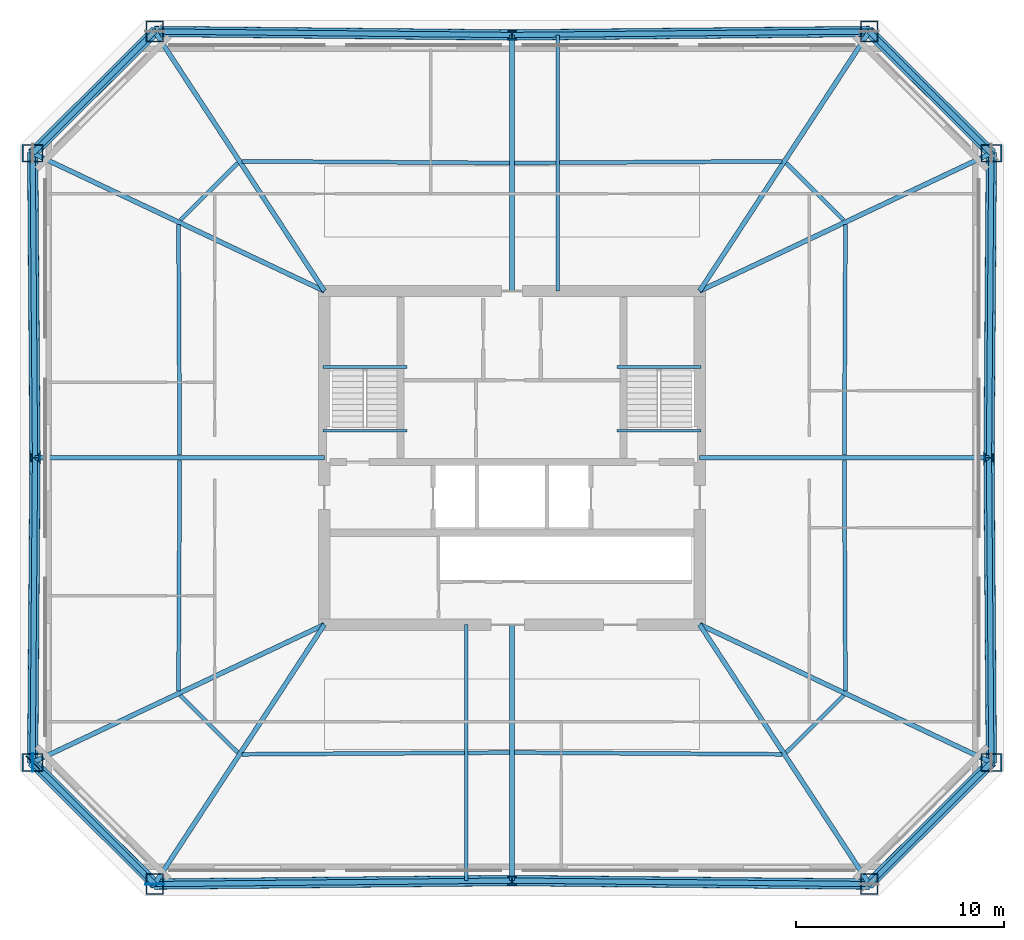
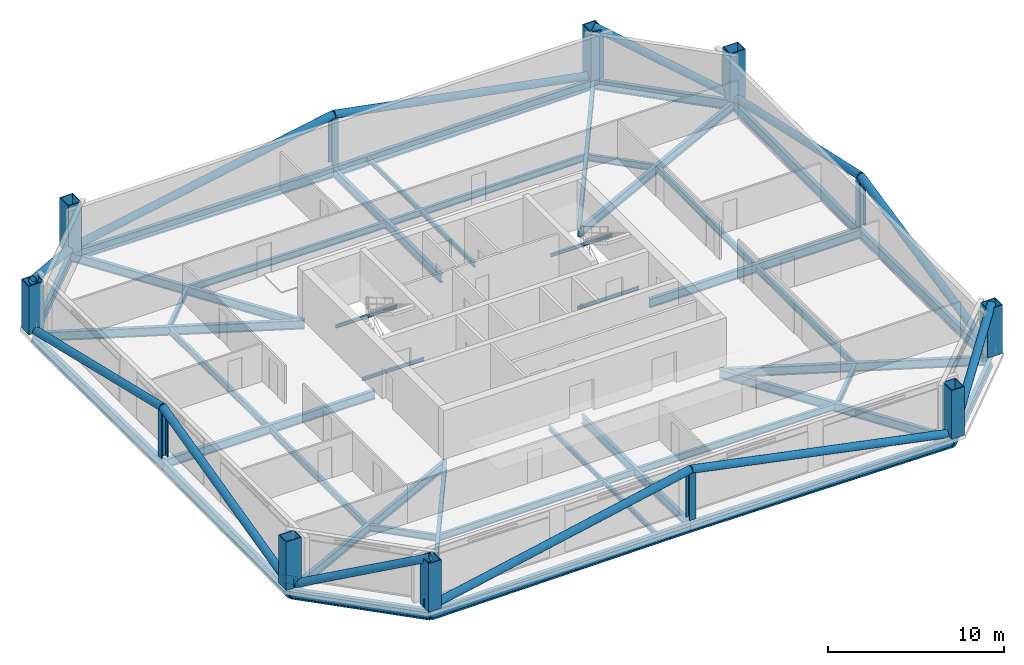
# One storey, part 1 of 6: 42 beams, 12 columns, 12 members, 3 plates.
"""IFC4 building model written with IfcOpenShell, lengths in metres."""

from ifc_helpers import new_model, si_unit, direction, frame, origin, origin_2d, place, context, subcontext, project, spatial, rectangle, hollow_rectangle, hollow_circle, i_section, extrude, material, layer, layer_set, material_profile, profile_set, type_object, element, save


model = new_model("IFC4")

# Units and contexts
model_context = context("Model", 3, precision=1e-05, world=origin(), true_north=direction((0.0, 1.0)))
body_context = subcontext(model_context, "Body", "Model", "MODEL_VIEW")
ifc_project = project(units=[si_unit("LENGTHUNIT", "METRE"), si_unit("AREAUNIT", "SQUARE_METRE"), si_unit("VOLUMEUNIT", "CUBIC_METRE"), si_unit("PLANEANGLEUNIT", "RADIAN"), si_unit("MASSUNIT", "GRAM", prefix="KILO")], contexts=[model_context])

# Site, building, storey
site_placement = place(None, origin())
site = spatial("IfcSite", under=ifc_project, at=site_placement, CompositionType="ELEMENT")
building_placement = place(site_placement, origin())
building = spatial("IfcBuilding", under=site, at=building_placement, Name="Caelvoria Tower", CompositionType="ELEMENT")
storey_placement = place(building_placement, frame((0.0, 0.0, 116.800048828125)))
storey = spatial("IfcBuildingStorey", under=building, at=storey_placement, Name="L30", CompositionType="ELEMENT", Elevation=116.800048828125)

# Columns
ifc_material_1 = material(Name="Structural Steel ASTM A572 Gr.50", Category="steel")
ifc_material_profile_1 = material_profile(ifc_material_1, hollow_rectangle(XDim=0.85009765625, YDim=1.0, WallThickness=0.050048828125, at=origin_2d()), Name="Structural Steel ASTM A572 Gr.50")
ifc_profile_set_1 = profile_set([ifc_material_profile_1], Name="BOX1000X850X50 - Structural Steel ASTM A572 Gr.50")
column_type_1 = type_object("IfcColumnType", Name="Mega Box Column 1000x850x50", PredefinedType="COLUMN", material=ifc_profile_set_1)
for number, where, z_axis, x_axis, name in (
    (1, (28.862548828125, 11.5517578125, 0.0), (0.0, 0.0, 1.0), (1.0, 0.0, 0.0), "Perimeter Megaframe Column L30-P00"),
    (2, (63.137451171875, 11.5517578125, 0.0), (0.0, 0.0, 1.0), (1.0, 0.0, 0.0), "Perimeter Megaframe Column L30-P02"),
    (3, (68.992431640625, 17.38623046875, 0.0), (0.0, 0.0, 1.0), (0.0, 1.0, 0.0), "Perimeter Megaframe Column L30-P03"),
    (4, (68.992431640625, 46.61376953125, 0.0), (0.0, 0.0, 1.0), (0.0, 1.0, 0.0), "Perimeter Megaframe Column L30-P05"),
    (5, (63.137451171875, 52.4482421875, 0.0), (0.0, 0.0, 1.0), (1.0, 0.0, 0.0), "Perimeter Megaframe Column L30-P06"),
    (6, (28.862548828125, 52.4482421875, 0.0), (0.0, 0.0, 1.0), (1.0, 0.0, 0.0), "Perimeter Megaframe Column L30-P08"),
    (7, (23.007568359375, 46.61376953125, 0.0), (0.0, 0.0, 1.0), (0.0, 1.0, 0.0), "Perimeter Megaframe Column L30-P09"),
    (8, (23.007568359375, 17.38623046875, 0.0), (0.0, 0.0, 1.0), (0.0, 1.0, 0.0), "Perimeter Megaframe Column L30-P11"),
):
    element("IfcColumn", number, at=place(storey_placement, frame(where, z_axis=z_axis, x_axis=x_axis)), inside=storey, type_object=column_type_1, Name=name, PredefinedType="COLUMN", context=body_context, shape_type="SweptSolid", body=[
        extrude(hollow_rectangle(XDim=0.85009765625, YDim=1.0, WallThickness=0.050048828125, at=origin_2d()), origin(), (0.0, 0.0, 1.0), 3.35791015625),
    ])
ifc_material_2 = material(Name="Structural Steel ASTM A913 Gr.65", Category="steel")
ifc_material_profile_2 = material_profile(ifc_material_2, i_section(OverallWidth=0.41796875, OverallDepth=0.455078125, WebThickness=0.0419921875, FlangeThickness=0.067626953125, FilletRadius=0.02490234375, at=origin_2d()), Name="Structural Steel ASTM A913 Gr.65")
ifc_profile_set_2 = profile_set([ifc_material_profile_2], Name="W360X551 - Structural Steel ASTM A913 Gr.65")
column_type_2 = type_object("IfcColumnType", Name="Mid Frame Column W360X551", PredefinedType="COLUMN", material=ifc_profile_set_2)
for number, where, z_axis, x_axis, name in (
    (9, (46.0, 11.719970703125, 0.0), (0.0, 0.0, 1.0), (1.0, 0.0, 0.0), "Perimeter Megaframe Column L30-P01"),
    (10, (68.8798828125, 32.0, 0.0), (0.0, 0.0, 1.0), (0.0, 1.0, 0.0), "Perimeter Megaframe Column L30-P04"),
    (11, (46.0, 52.280029296875, 0.0), (0.0, 0.0, 1.0), (1.0, 0.0, 0.0), "Perimeter Megaframe Column L30-P07"),
    (12, (23.1201171875, 32.0, 0.0), (0.0, 0.0, 1.0), (0.0, 1.0, 0.0), "Perimeter Megaframe Column L30-P10"),
):
    element("IfcColumn", number, at=place(storey_placement, frame(where, z_axis=z_axis, x_axis=x_axis)), inside=storey, type_object=column_type_2, Name=name, PredefinedType="COLUMN", context=body_context, shape_type="SweptSolid", body=[
        extrude(i_section(OverallWidth=0.41796875, OverallDepth=0.455078125, WebThickness=0.0419921875, FlangeThickness=0.067626953125, FilletRadius=0.02490234375, at=origin_2d()), origin(), (0.0, 0.0, 1.0), 3.35791015625),
    ])

# Beams
ifc_material_3 = material(Name="Structural Steel ASTM A992 Gr.50", Category="steel")
ifc_material_profile_3 = material_profile(ifc_material_3, i_section(OverallWidth=0.134033203125, OverallDepth=0.2099609375, WebThickness=0.00634765625, FlangeThickness=0.01025390625, FilletRadius=0.010009765625, at=origin_2d()), Name="Structural Steel ASTM A992 Gr.50")
ifc_profile_set_3 = profile_set([ifc_material_profile_3], Name="W200X31.3 - Structural Steel ASTM A992 Gr.50")
beam_type_1 = type_object("IfcBeamType", Name="Canopy Edge Trim Beam W200X31.3", PredefinedType="BEAM", material=ifc_profile_set_3)
for number, where, z_axis, x_axis, name in (
    (13, (36.929931640625, 36.35009765625, 1.494873046875), (1.0, 0.0, 0.0), (0.0, 1.0, 0.0), "ST-01 Half-Landing Support Beam L30"),
    (14, (36.929931640625, 33.300048828125, -0.304931640625), (1.0, 0.0, 0.0), (0.0, 1.0, 0.0), "ST-01 Floor-Landing Support Beam L30"),
    (15, (51.030029296875, 36.35009765625, 1.494873046875), (1.0, 0.0, 0.0), (0.0, 1.0, 0.0), "ST-02 Half-Landing Support Beam L30"),
    (16, (51.030029296875, 33.300048828125, -0.304931640625), (1.0, 0.0, 0.0), (0.0, 1.0, 0.0), "ST-02 Floor-Landing Support Beam L30"),
):
    element("IfcBeam", number, at=place(storey_placement, frame(where, z_axis=z_axis, x_axis=x_axis)), inside=storey, type_object=beam_type_1, Name=name, PredefinedType="BEAM", context=body_context, shape_type="SweptSolid", body=[
        extrude(i_section(OverallWidth=0.134033203125, OverallDepth=0.2099609375, WebThickness=0.00634765625, FlangeThickness=0.01025390625, FilletRadius=0.010009765625, at=origin_2d()), origin(), (0.0, 0.0, 1.0), 4.0400390625),
    ])
ifc_material_profile_4 = material_profile(ifc_material_3, i_section(OverallWidth=0.166015625, OverallDepth=0.31298828125, WebThickness=0.006591796875, FlangeThickness=0.01123046875, FilletRadius=0.011962890625, at=origin_2d()), Name="Structural Steel ASTM A992 Gr.50")
ifc_profile_set_4 = profile_set([ifc_material_profile_4], Name="W310X44.5 - Structural Steel ASTM A992 Gr.50")
beam_type_2 = type_object("IfcBeamType", Name="Composite Floor Intermediate Joist W310X44.5", PredefinedType="JOIST", material=ifc_profile_set_4)
for number, where, z_axis, x_axis, name in (
    (17, (43.800048828125, 24.0, -0.39697265625), (0.0, -1.0, 0.0), (1.0, 0.0, 0.0), "Intermediate Floor Joist L30 South"),
    (18, (48.199951171875, 40.0, -0.39697265625), (0.0, 1.0, 0.0), (-1.0, 0.0, 0.0), "Intermediate Floor Joist L30 North"),
):
    element("IfcBeam", number, at=place(storey_placement, frame(where, z_axis=z_axis, x_axis=x_axis)), inside=storey, type_object=beam_type_2, Name=name, PredefinedType="JOIST", context=body_context, shape_type="SweptSolid", body=[
        extrude(i_section(OverallWidth=0.166015625, OverallDepth=0.31298828125, WebThickness=0.006591796875, FlangeThickness=0.01123046875, FilletRadius=0.011962890625, at=origin_2d()), origin(), (0.0, 0.0, 1.0), 12.280029296875),
    ])

# Members
ifc_material_profile_5 = material_profile(ifc_material_1, hollow_circle(Radius=0.25390625, WallThickness=0.02001953125, at=origin_2d()), Name="Structural Steel ASTM A572 Gr.50")
ifc_profile_set_5 = profile_set([ifc_material_profile_5], Name="CHS508X20 - Structural Steel ASTM A572 Gr.50")
member_type = type_object("IfcMemberType", Name="Mid Perimeter Mega Brace CHS508X20", PredefinedType="BRACE", material=ifc_profile_set_5)
for number, where, z_axis, x_axis, name in (
    (19, (63.137451171875, 11.5517578125, 0.0), (0.656205916814, 0.653907472272, 0.37656183084), (-0.705865156694, 0.708346229301, 0.0), "Perimeter Chamfer Mega Brace L30 SE"),
    (20, (68.992431640625, 46.61376953125, 0.0), (-0.656205916814, 0.653907472272, 0.37656183084), (-0.705865156694, -0.708346229301, 0.0), "Perimeter Chamfer Mega Brace L30 NE"),
    (21, (28.862548828125, 52.4482421875, 0.0), (-0.656205916814, -0.653907472272, 0.37656183084), (0.705865156694, -0.708346229301, 0.0), "Perimeter Chamfer Mega Brace L30 NW"),
    (22, (23.007568359375, 17.38623046875, 0.0), (0.656205916814, -0.653907472272, 0.37656183084), (0.705865156694, 0.708346229301, 0.0), "Perimeter Chamfer Mega Brace L30 SW"),
):
    element("IfcMember", number, at=place(storey_placement, frame(where, z_axis=z_axis, x_axis=x_axis)), inside=storey, type_object=member_type, Name=name, PredefinedType="BRACE", context=body_context, shape_type="SweptSolid", body=[
        extrude(hollow_circle(Radius=0.25390625, WallThickness=0.02001953125, at=origin_2d()), origin(), (0.0, 0.0, 1.0), 8.92236328125),
    ])
for number, where, z_axis, x_axis, name in (
    (23, (28.862548828125, 11.5517578125, 0.0), (0.981272784824, 0.009631696684, 0.192382307354), (-0.009815041125, 0.999951831324, 0.0), "Perimeter Cardinal Mega Brace L30 SA"),
    (24, (63.137451171875, 11.5517578125, 0.0), (-0.981272784824, 0.009631696684, 0.192382307354), (-0.009815041125, -0.999951831324, 0.0), "Perimeter Cardinal Mega Brace L30 SB"),
):
    element("IfcMember", number, at=place(storey_placement, frame(where, z_axis=z_axis, x_axis=x_axis)), inside=storey, type_object=member_type, Name=name, PredefinedType="BRACE", context=body_context, shape_type="SweptSolid", body=[
        extrude(hollow_circle(Radius=0.25390625, WallThickness=0.02001953125, at=origin_2d()), origin(), (0.0, 0.0, 1.0), 17.464599609375),
    ])
for number, where, z_axis, x_axis, name in (
    (25, (68.992431640625, 17.38623046875, 0.0), (-0.007505530422, 0.974546724566, 0.224058806233), (-0.999970344303, -0.007701331964, 0.0), "Perimeter Cardinal Mega Brace L30 EA"),
    (26, (68.992431640625, 46.61376953125, 0.0), (-0.007505530422, -0.974546724566, 0.224058806233), (0.999970344303, -0.007701331964, 0.0), "Perimeter Cardinal Mega Brace L30 EB"),
):
    element("IfcMember", number, at=place(storey_placement, frame(where, z_axis=z_axis, x_axis=x_axis)), inside=storey, type_object=member_type, Name=name, PredefinedType="BRACE", context=body_context, shape_type="SweptSolid", body=[
        extrude(hollow_circle(Radius=0.25390625, WallThickness=0.02001953125, at=origin_2d()), origin(), (0.0, 0.0, 1.0), 14.995361328125),
    ])
for number, where, z_axis, x_axis, name in (
    (27, (63.137451171875, 52.4482421875, 0.0), (-0.981272784824, -0.009631696684, 0.192382307354), (0.009815041125, -0.999951831324, 0.0), "Perimeter Cardinal Mega Brace L30 NA"),
    (28, (28.862548828125, 52.4482421875, 0.0), (0.981272784824, -0.009631696684, 0.192382307354), (0.009815041125, 0.999951831324, 0.0), "Perimeter Cardinal Mega Brace L30 NB"),
):
    element("IfcMember", number, at=place(storey_placement, frame(where, z_axis=z_axis, x_axis=x_axis)), inside=storey, type_object=member_type, Name=name, PredefinedType="BRACE", context=body_context, shape_type="SweptSolid", body=[
        extrude(hollow_circle(Radius=0.25390625, WallThickness=0.02001953125, at=origin_2d()), origin(), (0.0, 0.0, 1.0), 17.464599609375),
    ])
for number, where, z_axis, x_axis, name in (
    (29, (23.007568359375, 46.61376953125, 0.0), (0.007505530422, -0.974546724566, 0.224058806233), (0.999970344303, 0.007701331964, 0.0), "Perimeter Cardinal Mega Brace L30 WA"),
    (30, (23.007568359375, 17.38623046875, 0.0), (0.007505530422, 0.974546724566, 0.224058806233), (-0.999970344303, 0.007701331964, 0.0), "Perimeter Cardinal Mega Brace L30 WB"),
):
    element("IfcMember", number, at=place(storey_placement, frame(where, z_axis=z_axis, x_axis=x_axis)), inside=storey, type_object=member_type, Name=name, PredefinedType="BRACE", context=body_context, shape_type="SweptSolid", body=[
        extrude(hollow_circle(Radius=0.25390625, WallThickness=0.02001953125, at=origin_2d()), origin(), (0.0, 0.0, 1.0), 14.995361328125),
    ])

# Beams
ifc_material_profile_6 = material_profile(ifc_material_3, i_section(OverallWidth=0.25390625, OverallDepth=0.68798828125, WebThickness=0.01318359375, FlangeThickness=0.02099609375, FilletRadius=0.01904296875, at=origin_2d()), Name="Structural Steel ASTM A992 Gr.50")
ifc_profile_set_6 = profile_set([ifc_material_profile_6], Name="W690X152 - Structural Steel ASTM A992 Gr.50")
beam_type_3 = type_object("IfcBeamType", Name="Perimeter Spandrel Girder W690X152", PredefinedType="BEAM", material=ifc_profile_set_6)
for number, where, z_axis, x_axis, name in (
    (31, (28.862548828125, 11.5517578125, -0.583984375), (0.999951831324, 0.009815041125, 0.0), (-0.009815041125, 0.999951831324, 0.0), "Perimeter Spandrel Girder L30-00"),
    (32, (46.0, 11.719970703125, -0.583984375), (0.999951831324, -0.009815041125, 0.0), (0.009815041125, 0.999951831324, 0.0), "Perimeter Spandrel Girder L30-01"),
):
    element("IfcBeam", number, at=place(storey_placement, frame(where, z_axis=z_axis, x_axis=x_axis)), inside=storey, type_object=beam_type_3, Name=name, PredefinedType="BEAM", context=body_context, shape_type="SweptSolid", body=[
        extrude(i_section(OverallWidth=0.25390625, OverallDepth=0.68798828125, WebThickness=0.01318359375, FlangeThickness=0.02099609375, FilletRadius=0.01904296875, at=origin_2d()), origin(), (0.0, 0.0, 1.0), 17.13818359375),
    ])
beam_1_placement = place(storey_placement, frame((63.137451171875, 11.5517578125, -0.583984375), z_axis=(0.708346229301, 0.705865156694, 0.0), x_axis=(-0.705865156694, 0.708346229301, 0.0)))
element("IfcBeam", 33, at=beam_1_placement, inside=storey, type_object=beam_type_3, Name="Perimeter Spandrel Girder L30-02", PredefinedType="BEAM", context=body_context, shape_type="SweptSolid", body=[
    extrude(i_section(OverallWidth=0.25390625, OverallDepth=0.68798828125, WebThickness=0.01318359375, FlangeThickness=0.02099609375, FilletRadius=0.01904296875, at=origin_2d()), origin(), (0.0, 0.0, 1.0), 8.265625),
])
for number, where, z_axis, x_axis, name in (
    (34, (68.992431640625, 17.38623046875, -0.583984375), (-0.007701331964, 0.999970344303, 0.0), (-0.999970344303, -0.007701331964, 0.0), "Perimeter Spandrel Girder L30-03"),
    (35, (68.8798828125, 32.0, -0.583984375), (0.007701331964, 0.999970344303, 0.0), (-0.999970344303, 0.007701331964, 0.0), "Perimeter Spandrel Girder L30-04"),
):
    element("IfcBeam", number, at=place(storey_placement, frame(where, z_axis=z_axis, x_axis=x_axis)), inside=storey, type_object=beam_type_3, Name=name, PredefinedType="BEAM", context=body_context, shape_type="SweptSolid", body=[
        extrude(i_section(OverallWidth=0.25390625, OverallDepth=0.68798828125, WebThickness=0.01318359375, FlangeThickness=0.02099609375, FilletRadius=0.01904296875, at=origin_2d()), origin(), (0.0, 0.0, 1.0), 14.6142578125),
    ])
beam_2_placement = place(storey_placement, frame((68.992431640625, 46.61376953125, -0.583984375), z_axis=(-0.708346229301, 0.705865156694, 0.0), x_axis=(-0.705865156694, -0.708346229301, 0.0)))
element("IfcBeam", 36, at=beam_2_placement, inside=storey, type_object=beam_type_3, Name="Perimeter Spandrel Girder L30-05", PredefinedType="BEAM", context=body_context, shape_type="SweptSolid", body=[
    extrude(i_section(OverallWidth=0.25390625, OverallDepth=0.68798828125, WebThickness=0.01318359375, FlangeThickness=0.02099609375, FilletRadius=0.01904296875, at=origin_2d()), origin(), (0.0, 0.0, 1.0), 8.265625),
])
for number, where, z_axis, x_axis, name in (
    (37, (63.137451171875, 52.4482421875, -0.583984375), (-0.999951831324, -0.009815041125, 0.0), (0.009815041125, -0.999951831324, 0.0), "Perimeter Spandrel Girder L30-06"),
    (38, (46.0, 52.280029296875, -0.583984375), (-0.999951831324, 0.009815041125, 0.0), (-0.009815041125, -0.999951831324, 0.0), "Perimeter Spandrel Girder L30-07"),
):
    element("IfcBeam", number, at=place(storey_placement, frame(where, z_axis=z_axis, x_axis=x_axis)), inside=storey, type_object=beam_type_3, Name=name, PredefinedType="BEAM", context=body_context, shape_type="SweptSolid", body=[
        extrude(i_section(OverallWidth=0.25390625, OverallDepth=0.68798828125, WebThickness=0.01318359375, FlangeThickness=0.02099609375, FilletRadius=0.01904296875, at=origin_2d()), origin(), (0.0, 0.0, 1.0), 17.13818359375),
    ])
beam_3_placement = place(storey_placement, frame((28.862548828125, 52.4482421875, -0.583984375), z_axis=(-0.708346229301, -0.705865156694, 0.0), x_axis=(0.705865156694, -0.708346229301, 0.0)))
element("IfcBeam", 39, at=beam_3_placement, inside=storey, type_object=beam_type_3, Name="Perimeter Spandrel Girder L30-08", PredefinedType="BEAM", context=body_context, shape_type="SweptSolid", body=[
    extrude(i_section(OverallWidth=0.25390625, OverallDepth=0.68798828125, WebThickness=0.01318359375, FlangeThickness=0.02099609375, FilletRadius=0.01904296875, at=origin_2d()), origin(), (0.0, 0.0, 1.0), 8.265625),
])
for number, where, z_axis, x_axis, name in (
    (40, (23.007568359375, 46.61376953125, -0.583984375), (0.007701331964, -0.999970344303, 0.0), (0.999970344303, 0.007701331964, 0.0), "Perimeter Spandrel Girder L30-09"),
    (41, (23.1201171875, 32.0, -0.583984375), (-0.007701331964, -0.999970344303, 0.0), (0.999970344303, -0.007701331964, 0.0), "Perimeter Spandrel Girder L30-10"),
):
    element("IfcBeam", number, at=place(storey_placement, frame(where, z_axis=z_axis, x_axis=x_axis)), inside=storey, type_object=beam_type_3, Name=name, PredefinedType="BEAM", context=body_context, shape_type="SweptSolid", body=[
        extrude(i_section(OverallWidth=0.25390625, OverallDepth=0.68798828125, WebThickness=0.01318359375, FlangeThickness=0.02099609375, FilletRadius=0.01904296875, at=origin_2d()), origin(), (0.0, 0.0, 1.0), 14.6142578125),
    ])
beam_4_placement = place(storey_placement, frame((23.007568359375, 17.38623046875, -0.583984375), z_axis=(0.708346229301, -0.705865156694, 0.0), x_axis=(0.705865156694, 0.708346229301, 0.0)))
element("IfcBeam", 42, at=beam_4_placement, inside=storey, type_object=beam_type_3, Name="Perimeter Spandrel Girder L30-11", PredefinedType="BEAM", context=body_context, shape_type="SweptSolid", body=[
    extrude(i_section(OverallWidth=0.25390625, OverallDepth=0.68798828125, WebThickness=0.01318359375, FlangeThickness=0.02099609375, FilletRadius=0.01904296875, at=origin_2d()), origin(), (0.0, 0.0, 1.0), 8.265625),
])
ifc_material_profile_7 = material_profile(ifc_material_3, i_section(OverallWidth=0.22900390625, OverallDepth=0.612060546875, WebThickness=0.011962890625, FlangeThickness=0.01953125, FilletRadius=0.01806640625, at=origin_2d()), Name="Structural Steel ASTM A992 Gr.50")
ifc_profile_set_7 = profile_set([ifc_material_profile_7], Name="W610X125 - Structural Steel ASTM A992 Gr.50")
beam_type_4 = type_object("IfcBeamType", Name="Primary Radial Floor Girder W610X125", PredefinedType="BEAM", material=ifc_profile_set_7)
beam_5_placement = place(storey_placement, frame((37.0, 24.0, -0.546142578125), z_axis=(-0.547165323356, -0.837024556938, 0.0), x_axis=(0.837024556938, -0.547165323356, 0.0)))
element("IfcBeam", 43, at=beam_5_placement, inside=storey, type_object=beam_type_4, Name="Primary Floor Girder L30-00", PredefinedType="BEAM", context=body_context, shape_type="SweptSolid", body=[
    extrude(i_section(OverallWidth=0.22900390625, OverallDepth=0.612060546875, WebThickness=0.011962890625, FlangeThickness=0.01953125, FilletRadius=0.01806640625, at=origin_2d()), origin(), (0.0, 0.0, 1.0), 14.8720703125),
])
beam_6_placement = place(storey_placement, frame((46.0, 24.0, -0.546142578125), z_axis=(0.0, -1.0, 0.0), x_axis=(1.0, 0.0, 0.0)))
element("IfcBeam", 44, at=beam_6_placement, inside=storey, type_object=beam_type_4, Name="Primary Floor Girder L30-01", PredefinedType="BEAM", context=body_context, shape_type="SweptSolid", body=[
    extrude(i_section(OverallWidth=0.22900390625, OverallDepth=0.612060546875, WebThickness=0.011962890625, FlangeThickness=0.01953125, FilletRadius=0.01806640625, at=origin_2d()), origin(), (0.0, 0.0, 1.0), 12.280029296875),
])
beam_7_placement = place(storey_placement, frame((55.0, 24.0, -0.546142578125), z_axis=(0.547165323356, -0.837024556938, 0.0), x_axis=(0.837024556938, 0.547165323356, 0.0)))
element("IfcBeam", 45, at=beam_7_placement, inside=storey, type_object=beam_type_4, Name="Primary Floor Girder L30-02", PredefinedType="BEAM", context=body_context, shape_type="SweptSolid", body=[
    extrude(i_section(OverallWidth=0.22900390625, OverallDepth=0.612060546875, WebThickness=0.011962890625, FlangeThickness=0.01953125, FilletRadius=0.01806640625, at=origin_2d()), origin(), (0.0, 0.0, 1.0), 14.8720703125),
])
beam_8_placement = place(storey_placement, frame((55.0, 24.0, -0.546142578125), z_axis=(0.904093099405, -0.427335544517, 0.0), x_axis=(0.427335544517, 0.904093099405, 0.0)))
element("IfcBeam", 46, at=beam_8_placement, inside=storey, type_object=beam_type_4, Name="Primary Floor Girder L30-03", PredefinedType="BEAM", context=body_context, shape_type="SweptSolid", body=[
    extrude(i_section(OverallWidth=0.22900390625, OverallDepth=0.612060546875, WebThickness=0.011962890625, FlangeThickness=0.01953125, FilletRadius=0.01806640625, at=origin_2d()), origin(), (0.0, 0.0, 1.0), 15.476806640625),
])
beam_9_placement = place(storey_placement, frame((55.0, 32.0, -0.546142578125), z_axis=(1.0, 0.0, 0.0), x_axis=(0.0, 1.0, 0.0)))
element("IfcBeam", 47, at=beam_9_placement, inside=storey, type_object=beam_type_4, Name="Primary Floor Girder L30-04", PredefinedType="BEAM", context=body_context, shape_type="SweptSolid", body=[
    extrude(i_section(OverallWidth=0.22900390625, OverallDepth=0.612060546875, WebThickness=0.011962890625, FlangeThickness=0.01953125, FilletRadius=0.01806640625, at=origin_2d()), origin(), (0.0, 0.0, 1.0), 13.8798828125),
])
beam_10_placement = place(storey_placement, frame((55.0, 40.0, -0.546142578125), z_axis=(0.904093099405, 0.427335544517, 0.0), x_axis=(-0.427335544517, 0.904093099405, 0.0)))
element("IfcBeam", 48, at=beam_10_placement, inside=storey, type_object=beam_type_4, Name="Primary Floor Girder L30-05", PredefinedType="BEAM", context=body_context, shape_type="SweptSolid", body=[
    extrude(i_section(OverallWidth=0.22900390625, OverallDepth=0.612060546875, WebThickness=0.011962890625, FlangeThickness=0.01953125, FilletRadius=0.01806640625, at=origin_2d()), origin(), (0.0, 0.0, 1.0), 15.476806640625),
])
beam_11_placement = place(storey_placement, frame((55.0, 40.0, -0.546142578125), z_axis=(0.547165323356, 0.837024556938, 0.0), x_axis=(-0.837024556938, 0.547165323356, 0.0)))
element("IfcBeam", 49, at=beam_11_placement, inside=storey, type_object=beam_type_4, Name="Primary Floor Girder L30-06", PredefinedType="BEAM", context=body_context, shape_type="SweptSolid", body=[
    extrude(i_section(OverallWidth=0.22900390625, OverallDepth=0.612060546875, WebThickness=0.011962890625, FlangeThickness=0.01953125, FilletRadius=0.01806640625, at=origin_2d()), origin(), (0.0, 0.0, 1.0), 14.8720703125),
])
beam_12_placement = place(storey_placement, frame((46.0, 40.0, -0.546142578125), z_axis=(0.0, 1.0, 0.0), x_axis=(-1.0, 0.0, 0.0)))
element("IfcBeam", 50, at=beam_12_placement, inside=storey, type_object=beam_type_4, Name="Primary Floor Girder L30-07", PredefinedType="BEAM", context=body_context, shape_type="SweptSolid", body=[
    extrude(i_section(OverallWidth=0.22900390625, OverallDepth=0.612060546875, WebThickness=0.011962890625, FlangeThickness=0.01953125, FilletRadius=0.01806640625, at=origin_2d()), origin(), (0.0, 0.0, 1.0), 12.280029296875),
])
beam_13_placement = place(storey_placement, frame((37.0, 40.0, -0.546142578125), z_axis=(-0.547165323356, 0.837024556938, 0.0), x_axis=(-0.837024556938, -0.547165323356, 0.0)))
element("IfcBeam", 51, at=beam_13_placement, inside=storey, type_object=beam_type_4, Name="Primary Floor Girder L30-08", PredefinedType="BEAM", context=body_context, shape_type="SweptSolid", body=[
    extrude(i_section(OverallWidth=0.22900390625, OverallDepth=0.612060546875, WebThickness=0.011962890625, FlangeThickness=0.01953125, FilletRadius=0.01806640625, at=origin_2d()), origin(), (0.0, 0.0, 1.0), 14.8720703125),
])
beam_14_placement = place(storey_placement, frame((37.0, 40.0, -0.546142578125), z_axis=(-0.904093099405, 0.427335544517, 0.0), x_axis=(-0.427335544517, -0.904093099405, 0.0)))
element("IfcBeam", 52, at=beam_14_placement, inside=storey, type_object=beam_type_4, Name="Primary Floor Girder L30-09", PredefinedType="BEAM", context=body_context, shape_type="SweptSolid", body=[
    extrude(i_section(OverallWidth=0.22900390625, OverallDepth=0.612060546875, WebThickness=0.011962890625, FlangeThickness=0.01953125, FilletRadius=0.01806640625, at=origin_2d()), origin(), (0.0, 0.0, 1.0), 15.476806640625),
])
beam_15_placement = place(storey_placement, frame((37.0, 32.0, -0.546142578125), z_axis=(-1.0, 0.0, 0.0), x_axis=(0.0, -1.0, 0.0)))
element("IfcBeam", 53, at=beam_15_placement, inside=storey, type_object=beam_type_4, Name="Primary Floor Girder L30-10", PredefinedType="BEAM", context=body_context, shape_type="SweptSolid", body=[
    extrude(i_section(OverallWidth=0.22900390625, OverallDepth=0.612060546875, WebThickness=0.011962890625, FlangeThickness=0.01953125, FilletRadius=0.01806640625, at=origin_2d()), origin(), (0.0, 0.0, 1.0), 13.8798828125),
])
beam_16_placement = place(storey_placement, frame((37.0, 24.0, -0.546142578125), z_axis=(-0.904093099405, -0.427335544517, 0.0), x_axis=(0.427335544517, -0.904093099405, 0.0)))
element("IfcBeam", 54, at=beam_16_placement, inside=storey, type_object=beam_type_4, Name="Primary Floor Girder L30-11", PredefinedType="BEAM", context=body_context, shape_type="SweptSolid", body=[
    extrude(i_section(OverallWidth=0.22900390625, OverallDepth=0.612060546875, WebThickness=0.011962890625, FlangeThickness=0.01953125, FilletRadius=0.01806640625, at=origin_2d()), origin(), (0.0, 0.0, 1.0), 15.476806640625),
])
ifc_material_profile_8 = material_profile(ifc_material_3, i_section(OverallWidth=0.18994140625, OverallDepth=0.45703125, WebThickness=0.009033203125, FlangeThickness=0.014404296875, FilletRadius=0.014892578125, at=origin_2d()), Name="Structural Steel ASTM A992 Gr.50")
ifc_profile_set_8 = profile_set([ifc_material_profile_8], Name="W460X74 - Structural Steel ASTM A992 Gr.50")
beam_type_5 = type_object("IfcBeamType", Name="Secondary Floor Beam W460X74", PredefinedType="BEAM", material=ifc_profile_set_8)
for number, where, z_axis, x_axis, name in (
    (55, (33.05615234375, 17.776611328125, -0.468505859375), (0.999979280845, 0.006437226163, 0.0), (-0.006437226163, 0.999979280845, 0.0), "Secondary Floor Beam L30-00"),
    (56, (46.125, 17.859130859375, -0.468505859375), (0.999979280845, -0.006437226163, 0.0), (0.006437226163, 0.999979280845, 0.0), "Secondary Floor Beam L30-01"),
):
    element("IfcBeam", number, at=place(storey_placement, frame(where, z_axis=z_axis, x_axis=x_axis)), inside=storey, type_object=beam_type_5, Name=name, PredefinedType="BEAM", context=body_context, shape_type="SweptSolid", body=[
        extrude(i_section(OverallWidth=0.18994140625, OverallDepth=0.45703125, WebThickness=0.009033203125, FlangeThickness=0.014404296875, FilletRadius=0.014892578125, at=origin_2d()), origin(), (0.0, 0.0, 1.0), 12.819091796875),
    ])
beam_17_placement = place(storey_placement, frame((59.1572265625, 17.864013671875, -0.468505859375), z_axis=(0.70833174964, 0.705879686952, 0.0), x_axis=(-0.705879686952, 0.70833174964, 0.0)))
element("IfcBeam", 57, at=beam_17_placement, inside=storey, type_object=beam_type_5, Name="Secondary Floor Beam L30-02", PredefinedType="BEAM", context=body_context, shape_type="SweptSolid", body=[
    extrude(i_section(OverallWidth=0.18994140625, OverallDepth=0.45703125, WebThickness=0.009033203125, FlangeThickness=0.014404296875, FilletRadius=0.014892578125, at=origin_2d()), origin(), (0.0, 0.0, 1.0), 3.883056640625),
])
for number, where, z_axis, x_axis, name in (
    (58, (61.99560546875, 20.818115234375, -0.468505859375), (-0.004968032488, 0.99998765925, 0.0), (-0.99998765925, -0.004968032488, 0.0), "Secondary Floor Beam L30-03"),
    (59, (61.940673828125, 32.125, -0.468505859375), (0.004968032488, 0.99998765925, 0.0), (-0.99998765925, 0.004968032488, 0.0), "Secondary Floor Beam L30-04"),
):
    element("IfcBeam", number, at=place(storey_placement, frame(where, z_axis=z_axis, x_axis=x_axis)), inside=storey, type_object=beam_type_5, Name=name, PredefinedType="BEAM", context=body_context, shape_type="SweptSolid", body=[
        extrude(i_section(OverallWidth=0.18994140625, OverallDepth=0.45703125, WebThickness=0.009033203125, FlangeThickness=0.014404296875, FilletRadius=0.014892578125, at=origin_2d()), origin(), (0.0, 0.0, 1.0), 11.05712890625),
    ])
beam_18_placement = place(storey_placement, frame((61.90771484375, 43.39501953125, -0.468505859375), z_axis=(-0.70833174964, 0.705879686952, 0.0), x_axis=(-0.705879686952, -0.70833174964, 0.0)))
element("IfcBeam", 60, at=beam_18_placement, inside=storey, type_object=beam_type_5, Name="Secondary Floor Beam L30-05", PredefinedType="BEAM", context=body_context, shape_type="SweptSolid", body=[
    extrude(i_section(OverallWidth=0.18994140625, OverallDepth=0.45703125, WebThickness=0.009033203125, FlangeThickness=0.014404296875, FilletRadius=0.014892578125, at=origin_2d()), origin(), (0.0, 0.0, 1.0), 3.883056640625),
])
for number, where, z_axis, x_axis, name in (
    (61, (58.94384765625, 46.223388671875, -0.468505859375), (-0.999979280845, -0.006437226163, 0.0), (0.006437226163, -0.999979280845, 0.0), "Secondary Floor Beam L30-06"),
    (62, (45.875, 46.140869140625, -0.468505859375), (-0.999979280845, 0.006437226163, 0.0), (-0.006437226163, -0.999979280845, 0.0), "Secondary Floor Beam L30-07"),
):
    element("IfcBeam", number, at=place(storey_placement, frame(where, z_axis=z_axis, x_axis=x_axis)), inside=storey, type_object=beam_type_5, Name=name, PredefinedType="BEAM", context=body_context, shape_type="SweptSolid", body=[
        extrude(i_section(OverallWidth=0.18994140625, OverallDepth=0.45703125, WebThickness=0.009033203125, FlangeThickness=0.014404296875, FilletRadius=0.014892578125, at=origin_2d()), origin(), (0.0, 0.0, 1.0), 12.819091796875),
    ])
beam_19_placement = place(storey_placement, frame((32.8427734375, 46.135986328125, -0.468505859375), z_axis=(-0.70833174964, -0.705879686952, 0.0), x_axis=(0.705879686952, -0.70833174964, 0.0)))
element("IfcBeam", 63, at=beam_19_placement, inside=storey, type_object=beam_type_5, Name="Secondary Floor Beam L30-08", PredefinedType="BEAM", context=body_context, shape_type="SweptSolid", body=[
    extrude(i_section(OverallWidth=0.18994140625, OverallDepth=0.45703125, WebThickness=0.009033203125, FlangeThickness=0.014404296875, FilletRadius=0.014892578125, at=origin_2d()), origin(), (0.0, 0.0, 1.0), 3.883056640625),
])
for number, where, z_axis, x_axis, name in (
    (64, (30.00439453125, 43.181884765625, -0.468505859375), (0.004968032488, -0.99998765925, 0.0), (0.99998765925, 0.004968032488, 0.0), "Secondary Floor Beam L30-09"),
    (65, (30.059326171875, 31.875, -0.468505859375), (-0.004968032488, -0.99998765925, 0.0), (0.99998765925, -0.004968032488, 0.0), "Secondary Floor Beam L30-10"),
):
    element("IfcBeam", number, at=place(storey_placement, frame(where, z_axis=z_axis, x_axis=x_axis)), inside=storey, type_object=beam_type_5, Name=name, PredefinedType="BEAM", context=body_context, shape_type="SweptSolid", body=[
        extrude(i_section(OverallWidth=0.18994140625, OverallDepth=0.45703125, WebThickness=0.009033203125, FlangeThickness=0.014404296875, FilletRadius=0.014892578125, at=origin_2d()), origin(), (0.0, 0.0, 1.0), 11.05712890625),
    ])
beam_20_placement = place(storey_placement, frame((30.09228515625, 20.60498046875, -0.468505859375), z_axis=(0.70833174964, -0.705879686952, 0.0), x_axis=(0.705879686952, 0.70833174964, 0.0)))
element("IfcBeam", 66, at=beam_20_placement, inside=storey, type_object=beam_type_5, Name="Secondary Floor Beam L30-11", PredefinedType="BEAM", context=body_context, shape_type="SweptSolid", body=[
    extrude(i_section(OverallWidth=0.18994140625, OverallDepth=0.45703125, WebThickness=0.009033203125, FlangeThickness=0.014404296875, FilletRadius=0.014892578125, at=origin_2d()), origin(), (0.0, 0.0, 1.0), 3.883056640625),
])

# Plates
ifc_layer = layer(ifc_material_1, 0.0400390625, Name="Structural Steel ASTM A572 Gr.50")
ifc_layer_set = layer_set([ifc_layer], Name="Megaframe Node Gusset Plate 900x600x40 - Structural Steel ASTM A572 Gr.50")
plate_type = type_object("IfcPlateType", Name="Megaframe Node Gusset Plate 900x600x40", PredefinedType="USERDEFINED", material=ifc_layer_set)
for number, where, z_axis, x_axis, name in (
    (67, (23.007568359375, 17.38623046875, 0.02001953125), (0.0, 0.0, 1.0), (0.708345997589, -0.705865389221, 0.0), "Chamfer Mega Brace Gusset L30 SW"),
    (68, (28.862548828125, 11.5517578125, 0.0498046875), (0.0, 0.0, 1.0), (0.999951843222, 0.009813828847, 0.0), "Megaframe Node Gusset Plate ND-01"),
    (69, (23.007568359375, 17.38623046875, 0.0498046875), (0.0, 0.0, 1.0), (0.007691590172, 0.999970419283, 0.0), "Megaframe Node Gusset Plate ND-01"),
):
    element("IfcPlate", number, at=place(storey_placement, frame(where, z_axis=z_axis, x_axis=x_axis)), inside=storey, type_object=plate_type, Name=name, ObjectType="GUSSET_PLATE", PredefinedType="USERDEFINED", context=body_context, shape_type="SweptSolid", body=[
        extrude(rectangle(XDim=0.89990234375, YDim=0.0400390625, at=origin_2d()), origin(), (0.0, 0.0, 1.0), 0.60009765625),
    ])

save(model, "model.ifc")
